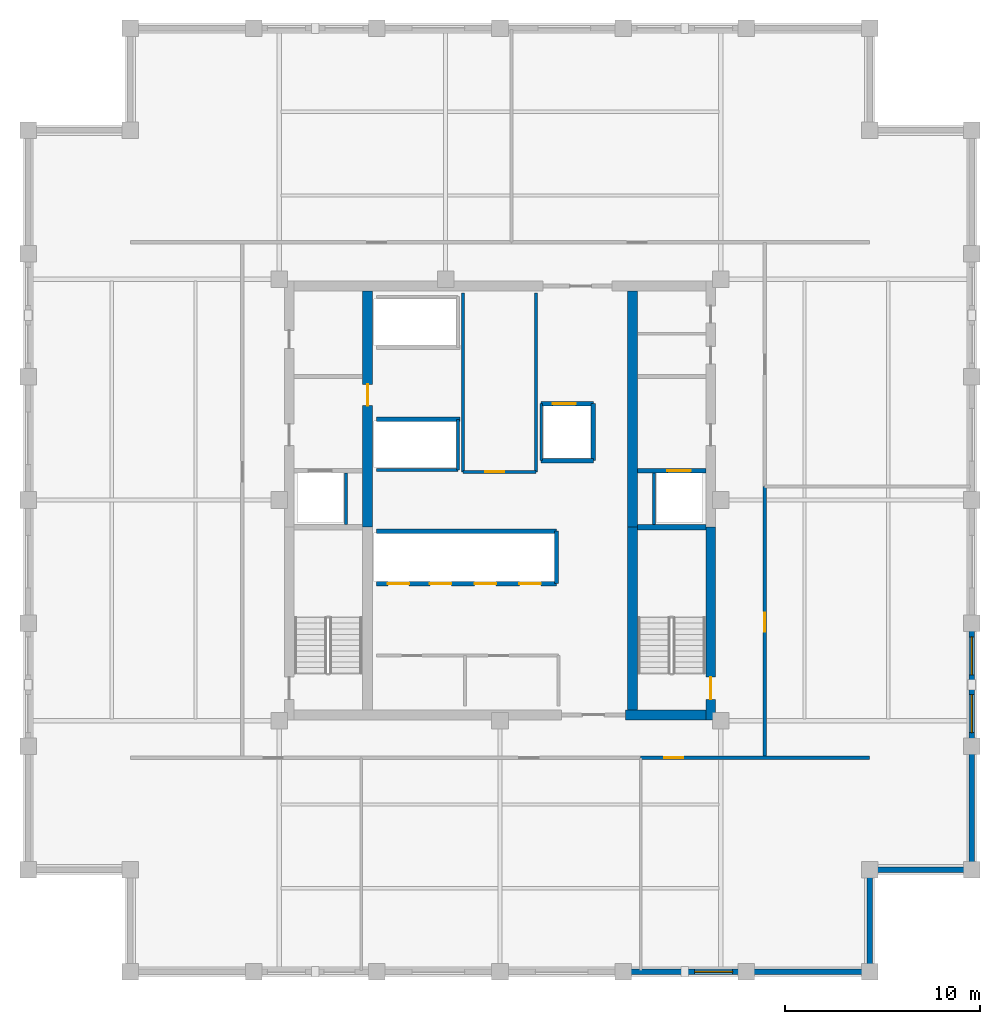
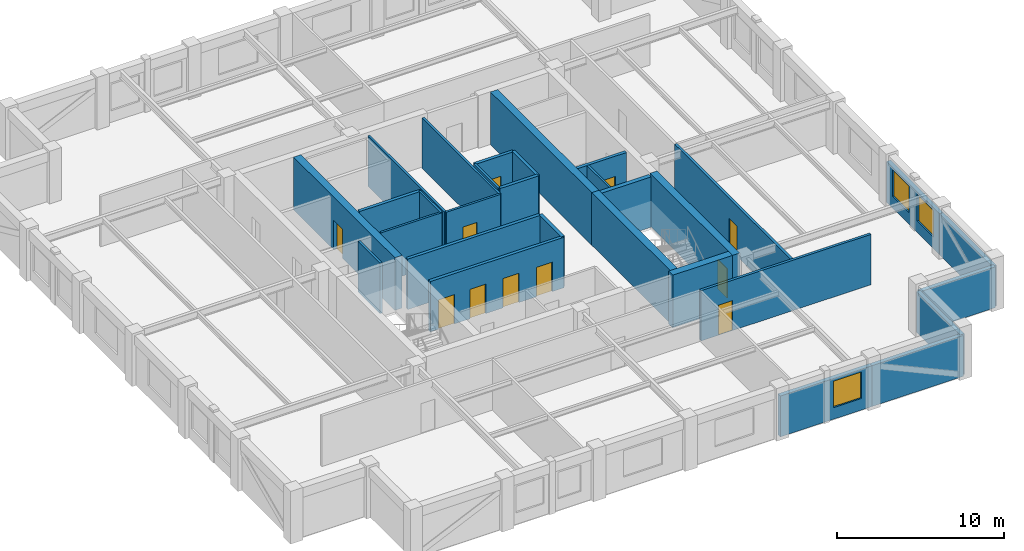
# One storey, part 3 of 6: 30 walls, 11 doors, 3 windows, 14 openings.
"""IFC4 building model written with IfcOpenShell, lengths in metres."""

from ifc_helpers import new_model, si_unit, direction, frame, frame_2d, origin, place, context, subcontext, project, spatial, rectangle, extrude, material, layer, layer_set, type_object, element, fill, save


model = new_model("IFC4")

# Units and contexts
model_context = context("Model", 3, precision=1e-05, world=origin(), true_north=direction((0.0, 1.0)))
body_context = subcontext(model_context, "Body", "Model", "MODEL_VIEW")
ifc_project = project(units=[si_unit("LENGTHUNIT", "METRE"), si_unit("AREAUNIT", "SQUARE_METRE"), si_unit("VOLUMEUNIT", "CUBIC_METRE"), si_unit("PLANEANGLEUNIT", "RADIAN"), si_unit("MASSUNIT", "GRAM", prefix="KILO")], contexts=[model_context])

# Site, building, storey
site_placement = place(None, origin())
site = spatial("IfcSite", under=ifc_project, at=site_placement, CompositionType="ELEMENT")
building_placement = place(site_placement, origin())
building = spatial("IfcBuilding", under=site, at=building_placement, Name="Nhamokura Convention Tower", CompositionType="ELEMENT")
storey_placement = place(building_placement, frame((0.0, 0.0, 233.10009765625)))
storey = spatial("IfcBuildingStorey", under=building, at=storey_placement, Name="L57", CompositionType="ELEMENT", Elevation=233.10009765625)

# Wall, opening, window
ifc_material_1 = material(Name="Bronze-pigmented precast concrete C45/55", Category="concrete")
ifc_layer_1 = layer(ifc_material_1, 0.280029296875)
ifc_layer_set_1 = layer_set([ifc_layer_1], Name="BronzePrecastSpandrel_280")
wall_type_1 = type_object("IfcWallType", Name="BronzePrecastSpandrel_280", PredefinedType="USERDEFINED", material=ifc_layer_set_1)
wall_1_placement = place(storey_placement, frame((44.666748046875, 7.75, 0.0), z_axis=(0.0, 0.0, 1.0), x_axis=(-1.0, 0.0, 0.0)))
wall_1 = element("IfcWall", 1, at=wall_1_placement, inside=storey, type_object=wall_type_1, Name="L57 Masonry-Frame Wall SOUTH 4", ObjectType="SPANDREL_WALL", PredefinedType="USERDEFINED", context=body_context, shape_type="SweptSolid", body=[
    extrude(rectangle(XDim=6.33349609375, YDim=0.280029296875, at=frame_2d((3.166748046875, 0.0))), origin(), (0.0, 0.0, 1.0), 2.98486328125),
])
opening_1_placement = place(wall_1_placement, frame((0.708251953125, 0.0, 0.85009765625)))
opening_1 = element("IfcOpeningElement", 2, at=opening_1_placement, cuts=wall_1, Name="Opening W-08", PredefinedType="OPENING", context=body_context, shape_type="SweptSolid", body=[
    extrude(rectangle(XDim=1.949951171875, YDim=1.93505859375, at=frame_2d((0.97509765625, 0.967529296875))), frame((0.0, 0.14990234375, 0.0), z_axis=(0.0, -1.0, 0.0), x_axis=(1.0, 0.0, 0.0)), (0.0, 0.0, 1.0), 0.300048828125),
])
ifc_material_2 = material(Name="Solar-control bronze low-E double glass", Category="glass")
window_type = type_object("IfcWindowType", Name="OfficeModuleWindow_Z3_1950", PartitioningType="SINGLE_PANEL", PredefinedType="WINDOW", material=ifc_material_2)
window_1_placement = place(opening_1_placement, origin())
window_1 = element("IfcWindow", 3, at=window_1_placement, inside=storey, type_object=window_type, Name="L57 Facade Window SOUTH 4-1", OverallHeight=1.93505859375, OverallWidth=1.949951171875, PartitioningType="SINGLE_PANEL", PredefinedType="WINDOW", context=body_context, shape_type="SweptSolid", body=[
    extrude(rectangle(XDim=1.949951171875, YDim=1.93505859375, at=frame_2d((0.97509765625, 0.967529296875))), frame((0.0, 0.030029296875, 0.0), z_axis=(0.0, -1.0, 0.0), x_axis=(1.0, 0.0, 0.0)), (0.0, 0.0, 1.0), 0.06005859375),
])
fill(opening_1, window_1)

# Walls
for number, where, z_axis, x_axis, name in (
    (4, (51.0, 7.75, 0.0), (0.0, 0.0, 1.0), (-1.0, 0.0, 0.0), "L57 Braced-Bay Precast Wall SOUTH 5"),
    (5, (56.25, 19.333251953125, 0.0), (0.0, 0.0, 1.0), (0.0, -1.0, 0.0), "L57 Braced-Bay Precast Wall EAST 0"),
):
    element("IfcWall", number, at=place(storey_placement, frame(where, z_axis=z_axis, x_axis=x_axis)), inside=storey, type_object=wall_type_1, Name=name, ObjectType="SPANDREL_WALL", PredefinedType="USERDEFINED", context=body_context, shape_type="SweptSolid", body=[
        extrude(rectangle(XDim=6.333251953125, YDim=0.280029296875, at=frame_2d((3.16650390625, 0.0))), origin(), (0.0, 0.0, 1.0), 2.98486328125),
    ])

# Wall, openings, windows
wall_2_placement = place(storey_placement, frame((56.25, 25.666748046875, 0.0), z_axis=(0.0, 0.0, 1.0), x_axis=(0.0, -1.0, 0.0)))
wall_2 = element("IfcWall", 6, at=wall_2_placement, inside=storey, type_object=wall_type_1, Name="L57 Masonry-Frame Wall EAST 1", ObjectType="SPANDREL_WALL", PredefinedType="USERDEFINED", context=body_context, shape_type="SweptSolid", body=[
    extrude(rectangle(XDim=6.33349609375, YDim=0.280029296875, at=frame_2d((3.166748046875, 0.0))), origin(), (0.0, 0.0, 1.0), 2.98486328125),
])
opening_2_placement = place(wall_2_placement, frame((0.708251953125, 0.0, 0.85009765625)))
opening_2 = element("IfcOpeningElement", 7, at=opening_2_placement, cuts=wall_2, Name="Opening W-08", PredefinedType="OPENING", context=body_context, shape_type="SweptSolid", body=[
    extrude(rectangle(XDim=1.949951171875, YDim=1.93505859375, at=frame_2d((0.97509765625, 0.967529296875))), frame((0.0, 0.14990234375, 0.0), z_axis=(0.0, -1.0, 0.0), x_axis=(1.0, 0.0, 0.0)), (0.0, 0.0, 1.0), 0.300048828125),
])
opening_3_placement = place(wall_2_placement, frame((3.675048828125, 0.0, 0.85009765625)))
opening_3 = element("IfcOpeningElement", 8, at=opening_3_placement, cuts=wall_2, Name="Opening W-08", PredefinedType="OPENING", context=body_context, shape_type="SweptSolid", body=[
    extrude(rectangle(XDim=1.949951171875, YDim=1.93505859375, at=frame_2d((0.97509765625, 0.967529296875))), frame((0.0, 0.14990234375, 0.0), z_axis=(0.0, -1.0, 0.0), x_axis=(1.0, 0.0, 0.0)), (0.0, 0.0, 1.0), 0.300048828125),
])
window_2_placement = place(opening_2_placement, origin())
window_2 = element("IfcWindow", 9, at=window_2_placement, inside=storey, type_object=window_type, Name="L57 Facade Window EAST 1-1", OverallHeight=1.93505859375, OverallWidth=1.949951171875, PartitioningType="SINGLE_PANEL", PredefinedType="WINDOW", context=body_context, shape_type="SweptSolid", body=[
    extrude(rectangle(XDim=1.949951171875, YDim=1.93505859375, at=frame_2d((0.97509765625, 0.967529296875))), frame((0.0, 0.030029296875, 0.0), z_axis=(0.0, -1.0, 0.0), x_axis=(1.0, 0.0, 0.0)), (0.0, 0.0, 1.0), 0.06005859375),
])
fill(opening_2, window_2)
window_3_placement = place(opening_3_placement, origin())
window_3 = element("IfcWindow", 10, at=window_3_placement, inside=storey, type_object=window_type, Name="L57 Facade Window EAST 1-2", OverallHeight=1.93505859375, OverallWidth=1.949951171875, PartitioningType="SINGLE_PANEL", PredefinedType="WINDOW", context=body_context, shape_type="SweptSolid", body=[
    extrude(rectangle(XDim=1.949951171875, YDim=1.93505859375, at=frame_2d((0.97509765625, 0.967529296875))), frame((0.0, 0.030029296875, 0.0), z_axis=(0.0, -1.0, 0.0), x_axis=(1.0, 0.0, 0.0)), (0.0, 0.0, 1.0), 0.06005859375),
])
fill(opening_3, window_3)

# Walls
for number, where, z_axis, x_axis, name in (
    (11, (51.0, 13.0, 0.0), (0.0, 0.0, 1.0), (0.0, -1.0, 0.0), "L57 Notched Corner Wall SE1"),
    (12, (56.25, 13.0, 0.0), (0.0, 0.0, 1.0), (-1.0, 0.0, 0.0), "L57 Notched Corner Wall SE2"),
):
    element("IfcWall", number, at=place(storey_placement, frame(where, z_axis=z_axis, x_axis=x_axis)), inside=storey, type_object=wall_type_1, Name=name, ObjectType="SPANDREL_WALL", PredefinedType="USERDEFINED", context=body_context, shape_type="SweptSolid", body=[
        extrude(rectangle(XDim=5.25, YDim=0.280029296875, at=frame_2d((2.625, 0.0))), origin(), (0.0, 0.0, 1.0), 2.98486328125),
    ])

# Wall, opening, door
ifc_material_3 = material(Name="Concrete C60/75", Category="concrete")
ifc_layer_2 = layer(ifc_material_3, 0.5)
ifc_layer_set_2 = layer_set([ifc_layer_2], Name="CoreShearWall_500")
wall_type_2 = type_object("IfcWallType", Name="CoreShearWall_500", PredefinedType="SHEAR", material=ifc_layer_set_2)
wall_3_placement = place(storey_placement, frame((42.840087890625, 20.699951171875, 0.0), z_axis=(0.0, 0.0, 1.0), x_axis=(0.0, 1.0, 0.0)))
wall_3 = element("IfcWall", 13, at=wall_3_placement, inside=storey, type_object=wall_type_2, Name="L57 Core Shear Wall CW-ES", PredefinedType="SHEAR", context=body_context, shape_type="SweptSolid", body=[
    extrude(rectangle(XDim=9.900146484375, YDim=0.5, at=frame_2d((4.9501953125, 0.0))), origin(), (0.0, 0.0, 1.0), 3.849853515625),
])
opening_4_placement = place(wall_3_placement, frame((1.050048828125, 0.0, 0.0)))
opening_4 = element("IfcOpeningElement", 14, at=opening_4_placement, cuts=wall_3, Name="Opening D-04", PredefinedType="OPENING", context=body_context, shape_type="SweptSolid", body=[
    extrude(rectangle(XDim=1.14990234375, YDim=2.14990234375, at=frame_2d((0.574951171875, 1.074951171875))), frame((0.0, 0.260009765625, 0.0), z_axis=(0.0, -1.0, 0.0), x_axis=(1.0, 0.0, 0.0)), (0.0, 0.0, 1.0), 0.52001953125),
])
ifc_material_4 = material(Name="Fire-rated steel door", Category="steel")
door_type_1 = type_object("IfcDoorType", Name="StairSmokeDoor_1150", OperationType="NOTDEFINED", PredefinedType="DOOR", material=ifc_material_4)
door_1_placement = place(opening_4_placement, origin())
door_1 = element("IfcDoor", 15, at=door_1_placement, inside=storey, type_object=door_type_1, Name="L57 Core Door INT-L57-D-ST02", OperationType="SINGLE_SWING_RIGHT", OverallHeight=2.14990234375, OverallWidth=1.14990234375, PredefinedType="DOOR", context=body_context, shape_type="SweptSolid", body=[
    extrude(rectangle(XDim=1.14990234375, YDim=2.14990234375, at=frame_2d((0.574951171875, 1.074951171875))), frame((0.0, 0.02490234375, 0.0), z_axis=(0.0, -1.0, 0.0), x_axis=(1.0, 0.0, 0.0)), (0.0, 0.0, 1.0), 0.050048828125),
])
fill(opening_4, door_1)

# Wall
wall_4_placement = place(storey_placement, frame((38.449951171875, 20.949951171875, 0.0), z_axis=(0.0, 0.0, 1.0), x_axis=(1.0, 0.0, 0.0)))
element("IfcWall", 16, at=wall_4_placement, inside=storey, type_object=wall_type_2, Name="L57 Core Shear Wall CW-S2", PredefinedType="SHEAR", context=body_context, shape_type="SweptSolid", body=[
    extrude(rectangle(XDim=4.14013671875, YDim=0.5, at=frame_2d((2.070068359375, 0.0))), origin(), (0.0, 0.0, 1.0), 3.849853515625),
])

# Wall, opening, door
wall_5_placement = place(storey_placement, frame((25.18994140625, 30.60009765625, 0.0), z_axis=(0.0, 0.0, 1.0), x_axis=(0.0, 1.0, 0.0)))
wall_5 = element("IfcWall", 17, at=wall_5_placement, inside=storey, type_object=wall_type_2, Name="L57 Core Shear Wall CW-IWN", PredefinedType="SHEAR", context=body_context, shape_type="SweptSolid", body=[
    extrude(rectangle(XDim=12.14990234375, YDim=0.5, at=frame_2d((6.074951171875, 0.0))), origin(), (0.0, 0.0, 1.0), 3.849853515625),
])
opening_5_placement = place(wall_5_placement, frame((6.25, 0.0, 0.0)))
opening_5 = element("IfcOpeningElement", 18, at=opening_5_placement, cuts=wall_5, Name="Opening D-05", PredefinedType="OPENING", context=body_context, shape_type="SweptSolid", body=[
    extrude(rectangle(XDim=1.10009765625, YDim=2.14990234375, at=frame_2d((0.550048828125, 1.074951171875))), frame((0.0, 0.260009765625, 0.0), z_axis=(0.0, -1.0, 0.0), x_axis=(1.0, 0.0, 0.0)), (0.0, 0.0, 1.0), 0.52001953125),
])
ifc_material_5 = material(Name="Fire-rated steel door", Category="steel")
door_type_2 = type_object("IfcDoorType", Name="FireLobbyDoor_1100", OperationType="NOTDEFINED", PredefinedType="DOOR", material=ifc_material_5)
door_2_placement = place(opening_5_placement, origin())
door_2 = element("IfcDoor", 19, at=door_2_placement, inside=storey, type_object=door_type_2, Name="L57 Core Door INT-L57-D-B3LOB", OperationType="SINGLE_SWING_LEFT", OverallHeight=2.14990234375, OverallWidth=1.10009765625, PredefinedType="DOOR", context=body_context, shape_type="SweptSolid", body=[
    extrude(rectangle(XDim=1.10009765625, YDim=2.14990234375, at=frame_2d((0.550048828125, 1.074951171875))), frame((0.0, 0.02490234375, 0.0), z_axis=(0.0, -1.0, 0.0), x_axis=(1.0, 0.0, 0.0)), (0.0, 0.0, 1.0), 0.050048828125),
])
fill(opening_5, door_2)

# Walls
wall_6_placement = place(storey_placement, frame((38.81005859375, 21.199951171875, 0.0), z_axis=(0.0, 0.0, 1.0), x_axis=(0.0, 1.0, 0.0)))
element("IfcWall", 20, at=wall_6_placement, inside=storey, type_object=wall_type_2, Name="L57 Core Shear Wall CW-IES", PredefinedType="SHEAR", context=body_context, shape_type="SweptSolid", body=[
    extrude(rectangle(XDim=9.400146484375, YDim=0.5, at=frame_2d((4.7001953125, 0.0))), origin(), (0.0, 0.0, 1.0), 3.849853515625),
])
wall_7_placement = place(storey_placement, frame((38.81005859375, 30.60009765625, 0.0), z_axis=(0.0, 0.0, 1.0), x_axis=(0.0, 1.0, 0.0)))
element("IfcWall", 21, at=wall_7_placement, inside=storey, type_object=wall_type_2, Name="L57 Core Shear Wall CW-IEN", PredefinedType="SHEAR", context=body_context, shape_type="SweptSolid", body=[
    extrude(rectangle(XDim=12.14990234375, YDim=0.5, at=frame_2d((6.074951171875, 0.0))), origin(), (0.0, 0.0, 1.0), 3.849853515625),
])

# Wall, opening, door
ifc_material_6 = material(Name="Fire-rated gypsum and masonry partition", Category="masonry")
ifc_layer_3 = layer(ifc_material_6, 0.179931640625)
ifc_layer_set_3 = layer_set([ifc_layer_3], Name="CorridorRatedWall_180")
wall_type_3 = type_object("IfcWallType", Name="CorridorRatedWall_180", PredefinedType="STANDARD", material=ifc_layer_set_3)
wall_8_placement = place(storey_placement, frame((39.2333984375, 18.75, 0.0), z_axis=(0.0, 0.0, 1.0), x_axis=(1.0, 0.0, 0.0)))
wall_8 = element("IfcWall", 22, at=wall_8_placement, inside=storey, type_object=wall_type_3, Name="L57 Wall INT-L57-CW-S02", PredefinedType="STANDARD", context=body_context, shape_type="SweptSolid", body=[
    extrude(rectangle(XDim=11.7666015625, YDim=0.179931640625, at=frame_2d((5.88330078125, 0.0))), origin(), (0.0, 0.0, 1.0), 3.684814453125),
])
opening_6_placement = place(wall_8_placement, frame((1.208251953125, 0.0, 0.0)))
opening_6 = element("IfcOpeningElement", 23, at=opening_6_placement, cuts=wall_8, Name="Opening D-08", PredefinedType="OPENING", context=body_context, shape_type="SweptSolid", body=[
    extrude(rectangle(XDim=0.97998046875, YDim=2.199951171875, at=frame_2d((0.489990234375, 1.10009765625))), frame((0.0, 0.099853515625, 0.0), z_axis=(0.0, -1.0, 0.0), x_axis=(1.0, 0.0, 0.0)), (0.0, 0.0, 1.0), 0.199951171875),
])
ifc_material_7 = material(Name="Solid oak hardwood", Category="wood")
door_type_3 = type_object("IfcDoorType", Name="OfficeEntryDoor_980", OperationType="NOTDEFINED", PredefinedType="DOOR", material=ifc_material_7)
door_3_placement = place(opening_6_placement, origin())
door_3 = element("IfcDoor", 24, at=door_3_placement, inside=storey, type_object=door_type_3, Name="L57 Conference Hall S03 Door", OperationType="SINGLE_SWING_LEFT", OverallHeight=2.199951171875, OverallWidth=0.97998046875, PredefinedType="DOOR", context=body_context, shape_type="SweptSolid", body=[
    extrude(rectangle(XDim=0.97998046875, YDim=2.199951171875, at=frame_2d((0.489990234375, 1.10009765625))), frame((0.0, 0.02490234375, 0.0), z_axis=(0.0, -1.0, 0.0), x_axis=(1.0, 0.0, 0.0)), (0.0, 0.0, 1.0), 0.050048828125),
])
fill(opening_6, door_3)

wall_9_placement = place(storey_placement, frame((45.60009765625, 18.75, 0.0), z_axis=(0.0, 0.0, 1.0), x_axis=(0.0, 1.0, 0.0)))
wall_9 = element("IfcWall", 25, at=wall_9_placement, inside=storey, type_object=wall_type_3, Name="L57 Wall INT-L57-CW-E00", PredefinedType="STANDARD", context=body_context, shape_type="SweptSolid", body=[
    extrude(rectangle(XDim=13.949951171875, YDim=0.179931640625, at=frame_2d((6.97509765625, 0.0))), origin(), (0.0, 0.0, 1.0), 3.684814453125),
])
opening_7_placement = place(wall_9_placement, frame((6.47509765625, 0.0, 0.0)))
opening_7 = element("IfcOpeningElement", 26, at=opening_7_placement, cuts=wall_9, Name="Opening D-08", PredefinedType="OPENING", context=body_context, shape_type="SweptSolid", body=[
    extrude(rectangle(XDim=0.97998046875, YDim=2.199951171875, at=frame_2d((0.489990234375, 1.10009765625))), frame((0.0, 0.099853515625, 0.0), z_axis=(0.0, -1.0, 0.0), x_axis=(1.0, 0.0, 0.0)), (0.0, 0.0, 1.0), 0.199951171875),
])
door_4_placement = place(opening_7_placement, origin())
door_4 = element("IfcDoor", 27, at=door_4_placement, inside=storey, type_object=door_type_3, Name="L57 Open Plan Office E01 Door", OperationType="SINGLE_SWING_LEFT", OverallHeight=2.199951171875, OverallWidth=0.97998046875, PredefinedType="DOOR", context=body_context, shape_type="SweptSolid", body=[
    extrude(rectangle(XDim=0.97998046875, YDim=2.199951171875, at=frame_2d((0.489990234375, 1.10009765625))), frame((0.0, 0.02490234375, 0.0), z_axis=(0.0, -1.0, 0.0), x_axis=(1.0, 0.0, 0.0)), (0.0, 0.0, 1.0), 0.050048828125),
])
fill(opening_7, door_4)

ifc_material_8 = material(Name="Autoclaved concrete blockwork", Category="masonry")
ifc_layer_4 = layer(ifc_material_8, 0.219970703125)
ifc_layer_set_4 = layer_set([ifc_layer_4], Name="FireLobbyWall_220")
wall_type_4 = type_object("IfcWallType", Name="FireLobbyWall_220", PredefinedType="STANDARD", material=ifc_layer_set_4)
wall_10_placement = place(storey_placement, frame((39.06005859375, 33.5, 0.0), z_axis=(0.0, 0.0, 1.0), x_axis=(1.0, 0.0, 0.0)))
wall_10 = element("IfcWall", 28, at=wall_10_placement, inside=storey, type_object=wall_type_4, Name="L57 Wall INT-L57-FFE-S", PredefinedType="STANDARD", context=body_context, shape_type="SweptSolid", body=[
    extrude(rectangle(XDim=3.530029296875, YDim=0.219970703125, at=frame_2d((1.76513671875, 0.0))), origin(), (0.0, 0.0, 1.0), 3.684814453125),
])
opening_8_placement = place(wall_10_placement, frame((1.550048828125, 0.0, 0.0)))
opening_8 = element("IfcOpeningElement", 29, at=opening_8_placement, cuts=wall_10, Name="Opening LD-02", PredefinedType="OPENING", context=body_context, shape_type="SweptSolid", body=[
    extrude(rectangle(XDim=1.199951171875, YDim=2.199951171875, at=frame_2d((0.60009765625, 1.10009765625))), frame((0.0, 0.119873046875, 0.0), z_axis=(0.0, -1.0, 0.0), x_axis=(1.0, 0.0, 0.0)), (0.0, 0.0, 1.0), 0.239990234375),
])
ifc_material_9 = material(Name="Anodised bronze stainless steel", Category="steel")
door_type_4 = type_object("IfcDoorType", Name="LiftLandingDoor_FireService", OperationType="DOUBLE_DOOR_SLIDING", PredefinedType="DOOR", material=ifc_material_9)
door_5_placement = place(opening_8_placement, origin())
door_5 = element("IfcDoor", 30, at=door_5_placement, inside=storey, type_object=door_type_4, Name="L57 Firefighting Lift LF-02 Door", OperationType="DOUBLE_DOOR_SLIDING", OverallHeight=2.199951171875, OverallWidth=1.199951171875, PredefinedType="DOOR", context=body_context, shape_type="SweptSolid", body=[
    extrude(rectangle(XDim=1.199951171875, YDim=2.199951171875, at=frame_2d((0.60009765625, 1.10009765625))), frame((0.0, 0.02490234375, 0.0), z_axis=(0.0, -1.0, 0.0), x_axis=(1.0, 0.0, 0.0)), (0.0, 0.0, 1.0), 0.050048828125),
])
fill(opening_8, door_5)

# Wall, openings, doors
wall_11_placement = place(storey_placement, frame((25.64990234375, 27.699951171875, 0.0), z_axis=(0.0, 0.0, 1.0), x_axis=(1.0, 0.0, 0.0)))
wall_11 = element("IfcWall", 31, at=wall_11_placement, inside=storey, type_object=wall_type_4, Name="L57 Wall INT-L57-B2S", PredefinedType="STANDARD", context=body_context, shape_type="SweptSolid", body=[
    extrude(rectangle(XDim=9.25, YDim=0.219970703125, at=frame_2d((4.625, 0.0))), origin(), (0.0, 0.0, 1.0), 3.684814453125),
])
opening_9_placement = place(wall_11_placement, frame((0.580078125, 0.0, 0.0)))
opening_9 = element("IfcOpeningElement", 32, at=opening_9_placement, cuts=wall_11, Name="Opening LD-01", PredefinedType="OPENING", context=body_context, shape_type="SweptSolid", body=[
    extrude(rectangle(XDim=1.10009765625, YDim=2.14990234375, at=frame_2d((0.550048828125, 1.074951171875))), frame((0.0, 0.119873046875, 0.0), z_axis=(0.0, -1.0, 0.0), x_axis=(1.0, 0.0, 0.0)), (0.0, 0.0, 1.0), 0.239990234375),
])
opening_10_placement = place(wall_11_placement, frame((2.75, 0.0, 0.0)))
opening_10 = element("IfcOpeningElement", 33, at=opening_10_placement, cuts=wall_11, Name="Opening LD-01", PredefinedType="OPENING", context=body_context, shape_type="SweptSolid", body=[
    extrude(rectangle(XDim=1.10009765625, YDim=2.14990234375, at=frame_2d((0.550048828125, 1.074951171875))), frame((0.0, 0.119873046875, 0.0), z_axis=(0.0, -1.0, 0.0), x_axis=(1.0, 0.0, 0.0)), (0.0, 0.0, 1.0), 0.239990234375),
])
opening_11_placement = place(wall_11_placement, frame((5.050048828125, 0.0, 0.0)))
opening_11 = element("IfcOpeningElement", 34, at=opening_11_placement, cuts=wall_11, Name="Opening LD-01", PredefinedType="OPENING", context=body_context, shape_type="SweptSolid", body=[
    extrude(rectangle(XDim=1.10009765625, YDim=2.14990234375, at=frame_2d((0.550048828125, 1.074951171875))), frame((0.0, 0.119873046875, 0.0), z_axis=(0.0, -1.0, 0.0), x_axis=(1.0, 0.0, 0.0)), (0.0, 0.0, 1.0), 0.239990234375),
])
opening_12_placement = place(wall_11_placement, frame((7.35009765625, 0.0, 0.0)))
opening_12 = element("IfcOpeningElement", 35, at=opening_12_placement, cuts=wall_11, Name="Opening LD-01", PredefinedType="OPENING", context=body_context, shape_type="SweptSolid", body=[
    extrude(rectangle(XDim=1.10009765625, YDim=2.14990234375, at=frame_2d((0.550048828125, 1.074951171875))), frame((0.0, 0.119873046875, 0.0), z_axis=(0.0, -1.0, 0.0), x_axis=(1.0, 0.0, 0.0)), (0.0, 0.0, 1.0), 0.239990234375),
])
ifc_material_10 = material(Name="Anodised bronze stainless steel", Category="steel")
door_type_5 = type_object("IfcDoorType", Name="LiftLandingDoor_Passenger", OperationType="DOUBLE_DOOR_SLIDING", PredefinedType="DOOR", material=ifc_material_10)
door_6_placement = place(opening_9_placement, origin())
door_6 = element("IfcDoor", 36, at=door_6_placement, inside=storey, type_object=door_type_5, Name="L57 Lift LP-05 Landing Door", OperationType="DOUBLE_DOOR_SLIDING", OverallHeight=2.14990234375, OverallWidth=1.10009765625, PredefinedType="DOOR", context=body_context, shape_type="SweptSolid", body=[
    extrude(rectangle(XDim=1.10009765625, YDim=2.14990234375, at=frame_2d((0.550048828125, 1.074951171875))), frame((0.0, 0.02490234375, 0.0), z_axis=(0.0, -1.0, 0.0), x_axis=(1.0, 0.0, 0.0)), (0.0, 0.0, 1.0), 0.050048828125),
])
fill(opening_9, door_6)
door_7_placement = place(opening_10_placement, origin())
door_7 = element("IfcDoor", 37, at=door_7_placement, inside=storey, type_object=door_type_5, Name="L57 Lift LP-06 Landing Door", OperationType="DOUBLE_DOOR_SLIDING", OverallHeight=2.14990234375, OverallWidth=1.10009765625, PredefinedType="DOOR", context=body_context, shape_type="SweptSolid", body=[
    extrude(rectangle(XDim=1.10009765625, YDim=2.14990234375, at=frame_2d((0.550048828125, 1.074951171875))), frame((0.0, 0.02490234375, 0.0), z_axis=(0.0, -1.0, 0.0), x_axis=(1.0, 0.0, 0.0)), (0.0, 0.0, 1.0), 0.050048828125),
])
fill(opening_10, door_7)
door_8_placement = place(opening_11_placement, origin())
door_8 = element("IfcDoor", 38, at=door_8_placement, inside=storey, type_object=door_type_5, Name="L57 Lift LP-07 Landing Door", OperationType="DOUBLE_DOOR_SLIDING", OverallHeight=2.14990234375, OverallWidth=1.10009765625, PredefinedType="DOOR", context=body_context, shape_type="SweptSolid", body=[
    extrude(rectangle(XDim=1.10009765625, YDim=2.14990234375, at=frame_2d((0.550048828125, 1.074951171875))), frame((0.0, 0.02490234375, 0.0), z_axis=(0.0, -1.0, 0.0), x_axis=(1.0, 0.0, 0.0)), (0.0, 0.0, 1.0), 0.050048828125),
])
fill(opening_11, door_8)
door_9_placement = place(opening_12_placement, origin())
door_9 = element("IfcDoor", 39, at=door_9_placement, inside=storey, type_object=door_type_5, Name="L57 Lift LP-08 Landing Door", OperationType="DOUBLE_DOOR_SLIDING", OverallHeight=2.14990234375, OverallWidth=1.10009765625, PredefinedType="DOOR", context=body_context, shape_type="SweptSolid", body=[
    extrude(rectangle(XDim=1.10009765625, YDim=2.14990234375, at=frame_2d((0.550048828125, 1.074951171875))), frame((0.0, 0.02490234375, 0.0), z_axis=(0.0, -1.0, 0.0), x_axis=(1.0, 0.0, 0.0)), (0.0, 0.0, 1.0), 0.050048828125),
])
fill(opening_12, door_9)

# Walls
wall_12_placement = place(storey_placement, frame((25.64990234375, 30.39990234375, 0.0), z_axis=(0.0, 0.0, 1.0), x_axis=(1.0, 0.0, 0.0)))
element("IfcWall", 40, at=wall_12_placement, inside=storey, type_object=wall_type_4, Name="L57 Wall INT-L57-B2N", PredefinedType="STANDARD", context=body_context, shape_type="SweptSolid", body=[
    extrude(rectangle(XDim=9.25, YDim=0.219970703125, at=frame_2d((4.625, 0.0))), origin(), (0.0, 0.0, 1.0), 3.684814453125),
])
wall_13_placement = place(storey_placement, frame((34.89990234375, 27.699951171875, 0.0), z_axis=(0.0, 0.0, 1.0), x_axis=(0.0, 1.0, 0.0)))
element("IfcWall", 41, at=wall_13_placement, inside=storey, type_object=wall_type_4, Name="L57 Wall INT-L57-B2E", PredefinedType="STANDARD", context=body_context, shape_type="SweptSolid", body=[
    extrude(rectangle(XDim=2.699951171875, YDim=0.219970703125, at=frame_2d((1.35009765625, 0.0))), origin(), (0.0, 0.0, 1.0), 3.684814453125),
])
wall_14_placement = place(storey_placement, frame((25.64990234375, 36.14990234375, 0.0), z_axis=(0.0, 0.0, 1.0), x_axis=(1.0, 0.0, 0.0)))
element("IfcWall", 42, at=wall_14_placement, inside=storey, type_object=wall_type_4, Name="L57 Wall INT-L57-B3S", PredefinedType="STANDARD", context=body_context, shape_type="SweptSolid", body=[
    extrude(rectangle(XDim=4.300048828125, YDim=0.219970703125, at=frame_2d((2.14990234375, 0.0))), origin(), (0.0, 0.0, 1.0), 3.684814453125),
])

# Wall, opening, door
wall_15_placement = place(storey_placement, frame((34.1201171875, 36.949951171875, 0.0), z_axis=(0.0, 0.0, 1.0), x_axis=(1.0, 0.0, 0.0)))
wall_15 = element("IfcWall", 43, at=wall_15_placement, inside=storey, type_object=wall_type_4, Name="L57 Wall INT-L57-LSN", PredefinedType="STANDARD", context=body_context, shape_type="SweptSolid", body=[
    extrude(rectangle(XDim=2.679931640625, YDim=0.219970703125, at=frame_2d((1.33984375, 0.0))), origin(), (0.0, 0.0, 1.0), 3.684814453125),
])
opening_13_placement = place(wall_15_placement, frame((0.580078125, 0.0, 0.0)))
opening_13 = element("IfcOpeningElement", 44, at=opening_13_placement, cuts=wall_15, Name="Opening LD-02", PredefinedType="OPENING", context=body_context, shape_type="SweptSolid", body=[
    extrude(rectangle(XDim=1.199951171875, YDim=2.199951171875, at=frame_2d((0.60009765625, 1.10009765625))), frame((0.0, 0.119873046875, 0.0), z_axis=(0.0, -1.0, 0.0), x_axis=(1.0, 0.0, 0.0)), (0.0, 0.0, 1.0), 0.239990234375),
])
door_10_placement = place(opening_13_placement, origin())
door_10 = element("IfcDoor", 45, at=door_10_placement, inside=storey, type_object=door_type_4, Name="L57 Service Lift LS-01 Door", OperationType="DOUBLE_DOOR_SLIDING", OverallHeight=2.199951171875, OverallWidth=1.199951171875, PredefinedType="DOOR", context=body_context, shape_type="SweptSolid", body=[
    extrude(rectangle(XDim=1.199951171875, YDim=2.199951171875, at=frame_2d((0.60009765625, 1.10009765625))), frame((0.0, 0.02490234375, 0.0), z_axis=(0.0, -1.0, 0.0), x_axis=(1.0, 0.0, 0.0)), (0.0, 0.0, 1.0), 0.050048828125),
])
fill(opening_13, door_10)

# Walls
wall_16_placement = place(storey_placement, frame((36.800048828125, 34.02001953125, 0.0), z_axis=(0.0, 0.0, 1.0), x_axis=(0.0, 1.0, 0.0)))
element("IfcWall", 46, at=wall_16_placement, inside=storey, type_object=wall_type_4, Name="L57 Wall INT-L57-LSE", PredefinedType="STANDARD", context=body_context, shape_type="SweptSolid", body=[
    extrude(rectangle(XDim=2.929931640625, YDim=0.219970703125, at=frame_2d((1.46484375, 0.0))), origin(), (0.0, 0.0, 1.0), 3.684814453125),
])
wall_17_placement = place(storey_placement, frame((34.1201171875, 34.02001953125, 0.0), z_axis=(0.0, 0.0, 1.0), x_axis=(1.0, 0.0, 0.0)))
element("IfcWall", 47, at=wall_17_placement, inside=storey, type_object=wall_type_4, Name="L57 Wall INT-L57-LSS", PredefinedType="STANDARD", context=body_context, shape_type="SweptSolid", body=[
    extrude(rectangle(XDim=2.679931640625, YDim=0.219970703125, at=frame_2d((1.33984375, 0.0))), origin(), (0.0, 0.0, 1.0), 3.684814453125),
])
ifc_material_11 = material(Name="Acoustic gypsum stud partition", Category="masonry")
ifc_layer_5 = layer(ifc_material_11, 0.14990234375)
ifc_layer_set_5 = layer_set([ifc_layer_5], Name="InteriorPartition_150")
wall_type_5 = type_object("IfcWallType", Name="InteriorPartition_150", PredefinedType="STANDARD", material=ifc_layer_set_5)
for number, where, z_axis, x_axis, name in (
    (48, (24.080078125, 30.75, 0.0), (0.0, 0.0, 1.0), (0.0, 1.0, 0.0), "L57 Wall INT-L57-FF1-E"),
    (49, (39.919921875, 30.75, 0.0), (0.0, 0.0, 1.0), (0.0, 1.0, 0.0), "L57 Wall INT-L57-FF2-W"),
):
    element("IfcWall", number, at=place(storey_placement, frame(where, z_axis=z_axis, x_axis=x_axis)), inside=storey, type_object=wall_type_5, Name=name, PredefinedType="STANDARD", context=body_context, shape_type="SweptSolid", body=[
        extrude(rectangle(XDim=2.64990234375, YDim=0.14990234375, at=frame_2d((1.324951171875, 0.0))), origin(), (0.0, 0.0, 1.0), 3.684814453125),
    ])
wall_18_placement = place(storey_placement, frame((25.64990234375, 33.550048828125, 0.0), z_axis=(0.0, 0.0, 1.0), x_axis=(1.0, 0.0, 0.0)))
element("IfcWall", 50, at=wall_18_placement, inside=storey, type_object=wall_type_5, Name="L57 Wall INT-L57-B3A-S", PredefinedType="STANDARD", context=body_context, shape_type="SweptSolid", body=[
    extrude(rectangle(XDim=4.2001953125, YDim=0.14990234375, at=frame_2d((2.10009765625, 0.0))), origin(), (0.0, 0.0, 1.0), 3.684814453125),
])
wall_19_placement = place(storey_placement, frame((29.85009765625, 33.550048828125, 0.0), z_axis=(0.0, 0.0, 1.0), x_axis=(0.0, 1.0, 0.0)))
element("IfcWall", 51, at=wall_19_placement, inside=storey, type_object=wall_type_5, Name="L57 Wall INT-L57-B3A-E", PredefinedType="STANDARD", context=body_context, shape_type="SweptSolid", body=[
    extrude(rectangle(XDim=2.599853515625, YDim=0.14990234375, at=frame_2d((1.2998046875, 0.0))), origin(), (0.0, 0.0, 1.0), 3.684814453125),
])
for number, where, z_axis, x_axis, name in (
    (52, (30.10009765625, 33.449951171875, 0.0), (0.0, 0.0, 1.0), (0.0, 1.0, 0.0), "L57 Wall INT-L57-ST03W"),
    (53, (33.85009765625, 33.449951171875, 0.0), (0.0, 0.0, 1.0), (0.0, 1.0, 0.0), "L57 Wall INT-L57-ST03E"),
):
    element("IfcWall", number, at=place(storey_placement, frame(where, z_axis=z_axis, x_axis=x_axis)), inside=storey, type_object=wall_type_5, Name=name, PredefinedType="STANDARD", context=body_context, shape_type="SweptSolid", body=[
        extrude(rectangle(XDim=9.199951171875, YDim=0.14990234375, at=frame_2d((4.60009765625, 0.0))), origin(), (0.0, 0.0, 1.0), 3.684814453125),
    ])

# Wall, opening, door
wall_20_placement = place(storey_placement, frame((30.10009765625, 33.449951171875, 0.0), z_axis=(0.0, 0.0, 1.0), x_axis=(1.0, 0.0, 0.0)))
wall_20 = element("IfcWall", 54, at=wall_20_placement, inside=storey, type_object=wall_type_5, Name="L57 Wall INT-L57-ST03S", PredefinedType="STANDARD", context=body_context, shape_type="SweptSolid", body=[
    extrude(rectangle(XDim=3.75, YDim=0.14990234375, at=frame_2d((1.875, 0.0))), origin(), (0.0, 0.0, 1.0), 3.684814453125),
])
opening_14_placement = place(wall_20_placement, frame((1.14990234375, 0.0, 0.0)))
opening_14 = element("IfcOpeningElement", 55, at=opening_14_placement, cuts=wall_20, Name="Opening D-08", PredefinedType="OPENING", context=body_context, shape_type="SweptSolid", body=[
    extrude(rectangle(XDim=0.97998046875, YDim=2.199951171875, at=frame_2d((0.489990234375, 1.10009765625))), frame((0.0, 0.0849609375, 0.0), z_axis=(0.0, -1.0, 0.0), x_axis=(1.0, 0.0, 0.0)), (0.0, 0.0, 1.0), 0.169921875),
])
door_11_placement = place(opening_14_placement, origin())
door_11 = element("IfcDoor", 56, at=door_11_placement, inside=storey, type_object=door_type_3, Name="L57 Wellness and Records Room Door", OperationType="SINGLE_SWING_RIGHT", OverallHeight=2.199951171875, OverallWidth=0.97998046875, PredefinedType="DOOR", context=body_context, shape_type="SweptSolid", body=[
    extrude(rectangle(XDim=0.97998046875, YDim=2.199951171875, at=frame_2d((0.489990234375, 1.10009765625))), frame((0.0, 0.02490234375, 0.0), z_axis=(0.0, -1.0, 0.0), x_axis=(1.0, 0.0, 0.0)), (0.0, 0.0, 1.0), 0.050048828125),
])
fill(opening_14, door_11)

# Walls
wall_21_placement = place(storey_placement, frame((34.1201171875, 34.02001953125, 0.0), z_axis=(0.0, 0.0, 1.0), x_axis=(0.0, 1.0, 0.0)))
element("IfcWall", 57, at=wall_21_placement, inside=storey, type_object=wall_type_5, Name="L57 Wall INT-L57-LSW", PredefinedType="STANDARD", context=body_context, shape_type="SweptSolid", body=[
    extrude(rectangle(XDim=2.929931640625, YDim=0.14990234375, at=frame_2d((1.46484375, 0.0))), origin(), (0.0, 0.0, 1.0), 3.684814453125),
])
ifc_material_12 = material(Name="Concrete C50/60", Category="concrete")
ifc_layer_6 = layer(ifc_material_12, 0.300048828125)
ifc_layer_set_6 = layer_set([ifc_layer_6], Name="ShaftEnclosureWall_300")
wall_type_6 = type_object("IfcWallType", Name="ShaftEnclosureWall_300", PredefinedType="SHEAR", material=ifc_layer_set_6)
wall_22_placement = place(storey_placement, frame((39.06005859375, 30.60009765625, 0.0), z_axis=(0.0, 0.0, 1.0), x_axis=(1.0, 0.0, 0.0)))
element("IfcWall", 58, at=wall_22_placement, inside=storey, type_object=wall_type_6, Name="L57 Wall INT-L57-ST02-N", PredefinedType="SHEAR", context=body_context, shape_type="SweptSolid", body=[
    extrude(rectangle(XDim=3.530029296875, YDim=0.300048828125, at=frame_2d((1.76513671875, 0.0))), origin(), (0.0, 0.0, 1.0), 3.684814453125),
])

save(model, "model.ifc")
